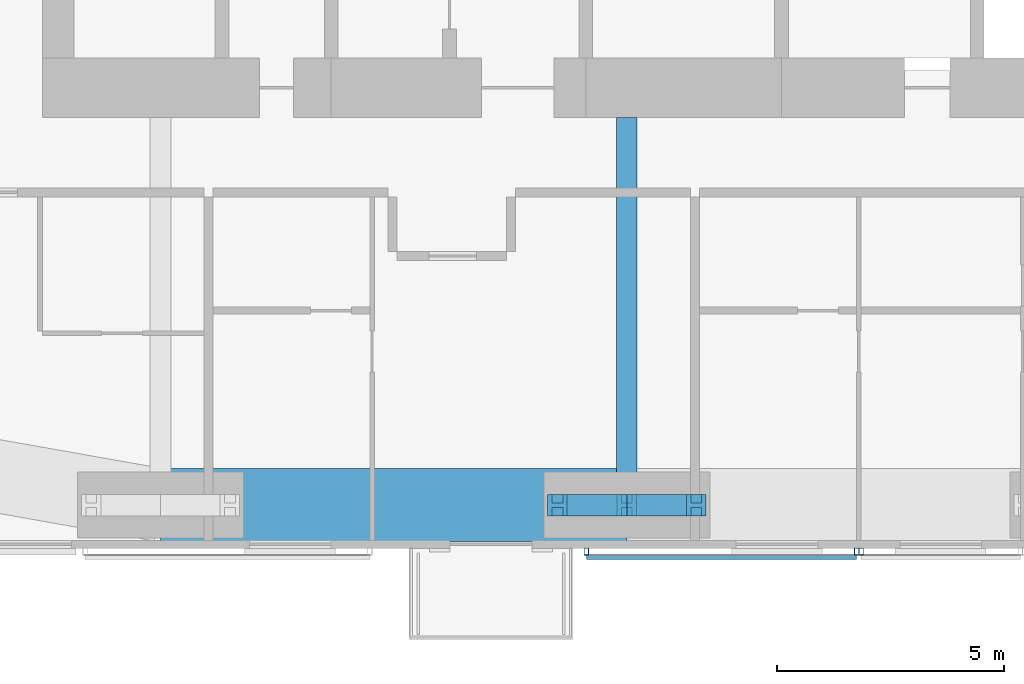
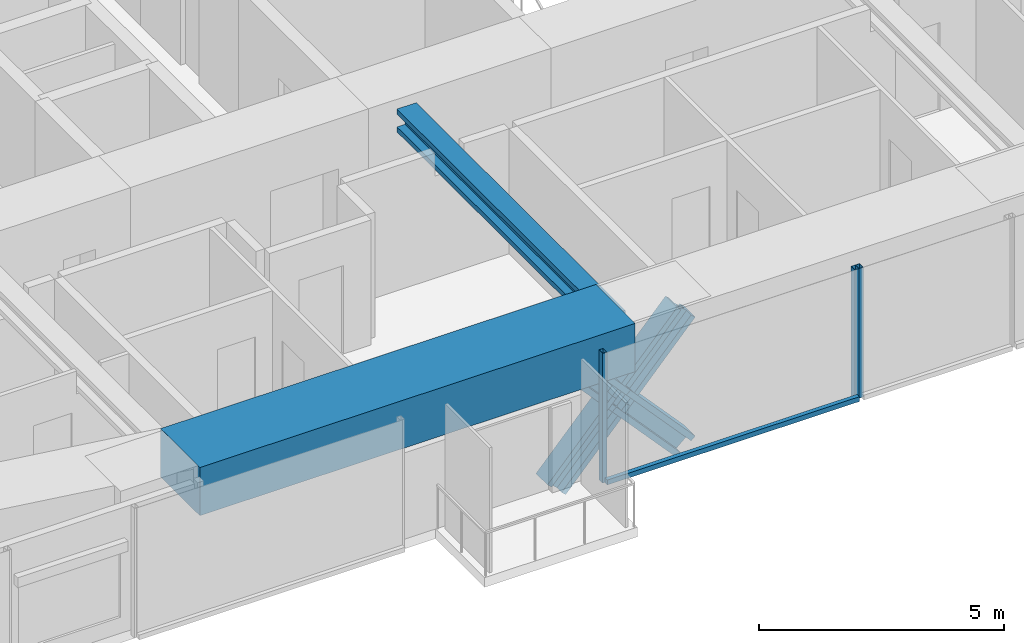
# One storey, part 4 of 23: 8 members, 2 beams, 2 elements without a shape of their own.
"""IFC4 building model written with IfcOpenShell, lengths in metres."""

import ifcopenshell
import ifcopenshell.guid

model = None  # the IFC model being written
_history = None  # IfcOwnerHistory: only IFC2X3 demands one
_inside = {}  # id of a spatial element -> (the spatial element, [elements in it])
_under = {}  # id of a project, library or spatial element -> (it, [spatial elements below it])
_declared = {}  # id of a project -> (the project, [libraries it declares])
_typed = {}  # id of a type object -> (the type object, [elements of that type])
_made_of = {}  # id of a material, layer set ... -> (it, [elements and type objects made of it])


def new_model(schema):
    """Start an empty IFC model of exactly this schema.

    Asked for "IFC4X3", IfcOpenShell would pick the latest addendum, in which some entities
    have other attributes; the version numbers below select the first issue.
    IFC2X3 requires an IfcOwnerHistory on every rooted entity: one is made here for all.
    """
    global model, _history
    if schema == "IFC4X3":
        model = ifcopenshell.file(schema_version=(4, 3, 0, 0))
    else:
        model = ifcopenshell.file(schema=schema)
    _inside.clear()
    _under.clear()
    _declared.clear()
    _typed.clear()
    _made_of.clear()
    _history = None
    if model.schema == "IFC2X3":
        org = make("IfcOrganization", Name="unknown")
        user = make(
            "IfcPersonAndOrganization",
            ThePerson=make("IfcPerson", FamilyName="unknown"),
            TheOrganization=org,
        )
        app = make(
            "IfcApplication",
            ApplicationDeveloper=org,
            Version="unknown",
            ApplicationFullName="unknown",
            ApplicationIdentifier="unknown",
        )
        _history = make(
            "IfcOwnerHistory",
            OwningUser=user,
            OwningApplication=app,
            ChangeAction="ADDED",
            CreationDate=0,
        )
    return model


def make(cls, **values):
    """One entity of the class cls with the attributes given. An attribute that is None is left unset."""
    return model.create_entity(
        cls, **{name: value for name, value in values.items() if value is not None}
    )


def rooted(cls, **values):
    """An entity with a GlobalId (a new one), such as an element, a storey or a relation."""
    return make(cls, GlobalId=ifcopenshell.guid.new(), OwnerHistory=_history, **values)


def si_unit(unit_type, name, prefix=None):
    """IfcSIUnit, for example si_unit("LENGTHUNIT", "METRE", prefix="MILLI")."""
    return make("IfcSIUnit", UnitType=unit_type, Prefix=prefix, Name=name)


def assignment(units):
    """IfcUnitAssignment: the units of a project."""
    return None if units is None else make("IfcUnitAssignment", Units=units)


def point(xyz):
    """IfcCartesianPoint."""
    return None if xyz is None else make("IfcCartesianPoint", Coordinates=xyz)


def direction(xyz):
    """IfcDirection."""
    return None if xyz is None else make("IfcDirection", DirectionRatios=xyz)


def frame(location, z_axis=None, x_axis=None):
    """IfcAxis2Placement3D, a coordinate frame: its origin and axes. An axis left out is left unset."""
    return make(
        "IfcAxis2Placement3D",
        Location=point(location),
        Axis=direction(z_axis),
        RefDirection=direction(x_axis),
    )


def frame_2d(location, x_axis=None):
    """IfcAxis2Placement2D, a coordinate frame in the plane: its origin and x axis."""
    return make(
        "IfcAxis2Placement2D", Location=point(location), RefDirection=direction(x_axis)
    )


def origin():
    """The frame at (0, 0, 0) with its axes left unset."""
    return frame((0.0, 0.0, 0.0))


def origin_2d():
    """The frame at (0, 0) in the plane with its x axis left unset."""
    return frame_2d((0.0, 0.0))


def place(relative_to, where):
    """IfcLocalPlacement: puts the frame where relative to a parent placement (None: the world)."""
    return make(
        "IfcLocalPlacement", PlacementRelTo=relative_to, RelativePlacement=where
    )


def context(
    kind, dimensions, precision=None, world=None, true_north=None, identifier=None
):
    """IfcGeometricRepresentationContext, for example the 3D "Model" context."""
    return make(
        "IfcGeometricRepresentationContext",
        ContextIdentifier=identifier,
        ContextType=kind,
        CoordinateSpaceDimension=dimensions,
        Precision=precision,
        WorldCoordinateSystem=world,
        TrueNorth=true_north,
    )


def subcontext(parent, identifier, kind, view, scale=None):
    """IfcGeometricRepresentationSubContext, for example "Body" below "Model"."""
    return make(
        "IfcGeometricRepresentationSubContext",
        ContextIdentifier=identifier,
        ContextType=kind,
        ParentContext=parent,
        TargetScale=scale,
        TargetView=view,
    )


def project(units=None, contexts=None):
    """IfcProject with its units and contexts."""
    return rooted(
        "IfcProject",
        Name="project",
        RepresentationContexts=contexts,
        UnitsInContext=assignment(units),
    )


def spatial(cls, under=None, at=None, **own):
    """A site, building, storey or space (cls), placed at a placement, below another one or the project."""
    s = rooted(cls, ObjectPlacement=at, **own)
    if under is not None:
        _under.setdefault(under.id(), (under, []))[1].append(s)
    return s


def profile(cls, at=None, kind="AREA", **sizes):
    """A parametric profile (cls). Its sizes go by their IFC names, for example OverallWidth=200.0."""
    return make(cls, ProfileType=kind, Position=at, **sizes)


def rectangle(**sizes):
    """IfcRectangleProfileDef."""
    return profile("IfcRectangleProfileDef", **sizes)


def hollow_rectangle(**sizes):
    """IfcRectangleHollowProfileDef."""
    return profile("IfcRectangleHollowProfileDef", **sizes)


def i_section(**sizes):
    """IfcIShapeProfileDef."""
    return profile("IfcIShapeProfileDef", **sizes)


def extrude(swept, where, along, depth):
    """IfcExtrudedAreaSolid: the profile swept, set in the frame where, extruded along a direction by depth."""
    return make(
        "IfcExtrudedAreaSolid",
        SweptArea=swept,
        Position=where,
        ExtrudedDirection=direction(along),
        Depth=depth,
    )


def shape(context_of_items, identifier, shape_type, items):
    """IfcShapeRepresentation: the items that make up one representation, for example the "Body"."""
    return make(
        "IfcShapeRepresentation",
        ContextOfItems=context_of_items,
        RepresentationIdentifier=identifier,
        RepresentationType=shape_type,
        Items=items,
    )


def material(Name=None, Category=None):
    """IfcMaterial."""
    return make("IfcMaterial", Name=Name, Category=Category)


def material_profile(
    of_material, cross_section, Name=None, Category=None, Priority=None
):
    """IfcMaterialProfile: a cross section and its material."""
    return make(
        "IfcMaterialProfile",
        Name=Name,
        Material=of_material,
        Profile=cross_section,
        Priority=Priority,
        Category=Category,
    )


def profile_set(profiles, Name=None, composite=None):
    """IfcMaterialProfileSet."""
    return make(
        "IfcMaterialProfileSet",
        Name=Name,
        MaterialProfiles=profiles,
        CompositeProfile=composite,
    )


def made_of(thing, what):
    """Note that an element or type object is made of a material, layer set ...; save() writes the relation."""
    if what is not None:
        _made_of.setdefault(what.id(), (what, []))[1].append(thing)
    return thing


def type_object(cls, material=None, **own):
    """A type object (cls), such as IfcWallType, which elements share."""
    return made_of(rooted(cls, **own), material)


def element(
    cls,
    number,
    at=None,
    inside=None,
    cuts=None,
    type_object=None,
    material=None,
    context=None,
    identifier="Body",
    shape_type=None,
    held_by="IfcProductDefinitionShape",
    body=None,
    shapes=None,
    **own,
):
    """One element of the class cls, such as IfcWall. Its Tag is "e" and its number.

    at: its placement. inside: the storey or other place that contains it. cuts: it is an
    opening in that element (IfcRelVoidsElement). A single representation is given by context,
    identifier, shape_type and body (its items); several are given by shapes. held_by: the class
    of the entity that holds the representations. save() writes the other relations.
    """
    e = rooted(cls, Tag="e%d" % number, ObjectPlacement=at, **own)
    if body is not None:
        shapes = [shape(context, identifier, shape_type, body)]
    if shapes is not None:
        e.Representation = make(held_by, Representations=shapes)
    if inside is not None:
        _inside.setdefault(inside.id(), (inside, []))[1].append(e)
    if cuts is not None:
        rooted(
            "IfcRelVoidsElement", RelatingBuildingElement=cuts, RelatedOpeningElement=e
        )
    if type_object is not None:
        _typed.setdefault(type_object.id(), (type_object, []))[1].append(e)
    return made_of(e, material)


def aggregate(whole, parts):
    """IfcRelAggregates: a whole, such as a stair, and the parts it consists of."""
    return rooted("IfcRelAggregates", RelatingObject=whole, RelatedObjects=parts)


def save(model, path):
    """Write the relations noted so far, then the file.

    IfcRelAggregates (storeys below a building ...), IfcRelContainedInSpatialStructure (elements
    in a storey), IfcRelDefinesByType, IfcRelAssociatesMaterial and IfcRelDeclares: one each for
    every whole, place, type object, material and project.
    """
    for whole, parts in _under.values():
        aggregate(whole, parts)
    for where, things in _inside.values():
        rooted(
            "IfcRelContainedInSpatialStructure",
            RelatedElements=things,
            RelatingStructure=where,
        )
    for kind, things in _typed.values():
        rooted("IfcRelDefinesByType", RelatedObjects=things, RelatingType=kind)
    for what, things in _made_of.values():
        rooted("IfcRelAssociatesMaterial", RelatedObjects=things, RelatingMaterial=what)
    for by, libraries in _declared.values():
        rooted("IfcRelDeclares", RelatingContext=by, RelatedDefinitions=libraries)
    model.write(path)


model = new_model("IFC4")

# Units and contexts
model_context = context("Model", 3, precision=1e-05, world=origin(), true_north=direction((0.0, 1.0)))
body_context = subcontext(model_context, "Body", "Model", "MODEL_VIEW")
ifc_project = project(units=[si_unit("LENGTHUNIT", "METRE"), si_unit("AREAUNIT", "SQUARE_METRE"), si_unit("VOLUMEUNIT", "CUBIC_METRE"), si_unit("PLANEANGLEUNIT", "RADIAN"), si_unit("MASSUNIT", "GRAM", prefix="KILO")], contexts=[model_context])

# Site, building, storey
site_placement = place(None, origin())
site = spatial("IfcSite", under=ifc_project, at=site_placement, CompositionType="ELEMENT")
building_placement = place(site_placement, origin())
building = spatial("IfcBuilding", under=site, at=building_placement, Name="Jalousie Tower", CompositionType="ELEMENT")
storey_placement = place(building_placement, frame((0.0, 0.0, 191.199951171875)))
storey = spatial("IfcBuildingStorey", under=building, at=storey_placement, Name="L52", CompositionType="ELEMENT", Elevation=191.199951171875)

# Beam
ifc_material_1 = material(Name="Steel ASTM A992 Grade 50", Category="steel")
ifc_material_profile_1 = material_profile(ifc_material_1, i_section(OverallWidth=0.45458984375, OverallDepth=0.569091796875, WebThickness=0.077880859375, FlangeThickness=0.124755859375, at=origin_2d()), Name="W14X730")
ifc_profile_set_1 = profile_set([ifc_material_profile_1], Name="Steel ASTM A992 Grade 50")
beam_type_1 = type_object("IfcBeamType", Name="LEAN COLLECTOR W14X730", PredefinedType="BEAM", material=ifc_profile_set_1)
beam_1_placement = place(storey_placement, frame((32.5, 0.949951171875, 2.825439453125), z_axis=(0.0, 1.0, 0.0), x_axis=(-1.0, 0.0, 0.0)))
element("IfcBeam", 1, at=beam_1_placement, inside=storey, type_object=beam_type_1, Name="Lean collector under L53", PredefinedType="BEAM", context=body_context, shape_type="SweptSolid", body=[
    extrude(i_section(OverallWidth=0.45458984375, OverallDepth=0.569091796875, WebThickness=0.077880859375, FlangeThickness=0.124755859375, at=origin_2d()), origin(), (0.0, 0.0, 1.0), 8.525146484375),
])

# Members
ifc_material_2 = material(Name="Steel ASTM A992 Grade 50", Category="steel")
ifc_material_profile_2 = material_profile(ifc_material_2, i_section(OverallWidth=0.472412109375, OverallDepth=0.5791015625, WebThickness=0.094970703125, FlangeThickness=0.1298828125, at=origin_2d()), Name="W14X808")
ifc_profile_set_2 = profile_set([ifc_material_profile_2], Name="Steel ASTM A992 Grade 50")
member_type_1 = type_object("IfcMemberType", Name="PERIMETER BRACE W14X808", PredefinedType="BRACE", material=ifc_profile_set_2)
for number, where, z_axis, x_axis, name in (
    (2, (30.97509765625, 0.949951171875, -0.599853515625), (0.673241284601, 0.0, 0.739422864611), (0.0, 1.0, 0.0), "Perimeter brace 03 L52 part 1"),
    (3, (32.5, 0.949951171875, 1.074951171875), (0.673187629365, 0.0, 0.739471713908), (0.0, 1.0, 0.0), "Perimeter brace 03 L52 part 2"),
    (4, (34.02490234375, 0.949951171875, -0.599853515625), (-0.673241284601, 0.0, 0.739422864611), (0.0, -1.0, 0.0), "Perimeter brace 03 L52 part 3"),
    (5, (32.5, 0.949951171875, 1.074951171875), (-0.673187629365, 0.0, 0.739471713908), (0.0, -1.0, 0.0), "Perimeter brace 03 L52 part 4"),
):
    element("IfcMember", number, at=place(storey_placement, frame(where, z_axis=z_axis, x_axis=x_axis)), inside=storey, type_object=member_type_1, Name=name, PredefinedType="BRACE", context=body_context, shape_type="SweptSolid", body=[
        extrude(i_section(OverallWidth=0.472412109375, OverallDepth=0.5791015625, WebThickness=0.094970703125, FlangeThickness=0.1298828125, at=origin_2d()), origin(), (0.0, 0.0, 1.0), 2.26513671875),
    ])

# Beam
ifc_material_3 = material(Name="Concrete f'c 40 MPa", Category="concrete")
ifc_material_profile_3 = material_profile(ifc_material_3, rectangle(XDim=1.60009765625, YDim=1.199951171875, at=origin_2d()), Name="RC 1600x1200")
ifc_profile_set_3 = profile_set([ifc_material_profile_3], Name="Concrete f'c 40 MPa")
beam_type_2 = type_object("IfcBeamType", Name="RC BEAM 1600x1200", PredefinedType="BEAM", material=ifc_profile_set_3)
beam_2_placement = place(storey_placement, frame((22.25, 0.949951171875, 2.75), z_axis=(1.0, 0.0, 0.0), x_axis=(0.0, 1.0, 0.0)))
element("IfcBeam", 6, at=beam_2_placement, inside=storey, type_object=beam_type_2, Name="Edge band beam 02-03 under L53", PredefinedType="BEAM", context=body_context, shape_type="SweptSolid", body=[
    extrude(rectangle(XDim=1.60009765625, YDim=1.199951171875, at=origin_2d()), origin(), (0.0, 0.0, 1.0), 10.25),
])

# Curtain wall, members
ifc_material_4 = material(Name="Perforated aluminium sheet", Category="aluminium")
curtain_wall_type = type_object("IfcCurtainWallType", Name="SOLAR SCREEN SS-1", PredefinedType="USERDEFINED", material=ifc_material_4)
curtain_wall_1_placement = place(storey_placement, origin())
curtain_wall_1 = element("IfcCurtainWall", 7, at=curtain_wall_1_placement, inside=storey, type_object=curtain_wall_type, Name="Solar screen L52", ObjectType="SOLAR SCREEN SS-1", PredefinedType="USERDEFINED")
ifc_material_5 = material(Name="Steel ASTM A500 Grade C", Category="steel")
ifc_material_profile_4 = material_profile(ifc_material_5, hollow_rectangle(XDim=0.1015625, YDim=0.15234375, WallThickness=0.00634765625, at=origin_2d()), Name="HSS6X4X1/4")
ifc_profile_set_4 = profile_set([ifc_material_profile_4], Name="Steel ASTM A500 Grade C")
member_type_2 = type_object("IfcMemberType", Name="SOLAR SCREEN SS-1 MULLION", PredefinedType="MULLION", material=ifc_profile_set_4)
member_1_placement = place(storey_placement, frame((31.612548828125, -0.0712890625, -0.119873046875), z_axis=(0.0, 0.0, 1.0), x_axis=(1.0, 0.0, 0.0)))
member_1 = element("IfcMember", 8, at=member_1_placement, type_object=member_type_2, Name="SS1 post 1", PredefinedType="MULLION", context=body_context, shape_type="SweptSolid", body=[
    extrude(hollow_rectangle(XDim=0.1015625, YDim=0.15234375, WallThickness=0.00634765625, at=origin_2d()), origin(), (0.0, 0.0, 1.0), 3.22998046875),
])
member_2_placement = place(storey_placement, frame((37.550048828125, -0.0712890625, -0.119873046875), z_axis=(0.0, 0.0, 1.0), x_axis=(1.0, 0.0, 0.0)))
member_2 = element("IfcMember", 9, at=member_2_placement, type_object=member_type_2, Name="SS1 post 2", PredefinedType="MULLION", context=body_context, shape_type="SweptSolid", body=[
    extrude(hollow_rectangle(XDim=0.1015625, YDim=0.15234375, WallThickness=0.00634765625, at=origin_2d()), origin(), (0.0, 0.0, 1.0), 3.22998046875),
])

# Curtain wall, member
curtain_wall_2_placement = place(storey_placement, origin())
curtain_wall_2 = element("IfcCurtainWall", 10, at=curtain_wall_2_placement, inside=storey, type_object=curtain_wall_type, Name="Solar screen L52", ObjectType="SOLAR SCREEN SS-1", PredefinedType="USERDEFINED")
member_3_placement = place(storey_placement, frame((37.64990234375, -0.0712890625, -0.119873046875), z_axis=(0.0, 0.0, 1.0), x_axis=(1.0, 0.0, 0.0)))
member_3 = element("IfcMember", 11, at=member_3_placement, type_object=member_type_2, Name="SS1 post 1", PredefinedType="MULLION", context=body_context, shape_type="SweptSolid", body=[
    extrude(hollow_rectangle(XDim=0.1015625, YDim=0.15234375, WallThickness=0.00634765625, at=origin_2d()), origin(), (0.0, 0.0, 1.0), 3.22998046875),
])
aggregate(curtain_wall_2, [member_3])

# Member
ifc_material_6 = material(Name="Extruded aluminium screen rail", Category="aluminium")
ifc_material_profile_5 = material_profile(ifc_material_6, rectangle(XDim=0.1015625, YDim=0.1201171875, at=origin_2d()), Name="RAIL 102x120")
ifc_profile_set_5 = profile_set([ifc_material_profile_5], Name="Extruded aluminium screen rail")
member_type_3 = type_object("IfcMemberType", Name="SOLAR SCREEN SS-1 TRANSOM", PredefinedType="USERDEFINED", material=ifc_profile_set_5)
member_4_placement = place(storey_placement, frame((31.612548828125, -0.1982421875, -0.06005859375), z_axis=(1.0, 0.0, 0.0), x_axis=(0.0, 1.0, 0.0)))
member_4 = element("IfcMember", 12, at=member_4_placement, type_object=member_type_3, Name="SS1 rail", ObjectType="TRANSOM", PredefinedType="USERDEFINED", context=body_context, shape_type="SweptSolid", body=[
    extrude(rectangle(XDim=0.1015625, YDim=0.1201171875, at=origin_2d()), origin(), (0.0, 0.0, 1.0), 5.9375),
])

aggregate(curtain_wall_1, [member_1, member_2, member_4])

save(model, "model.ifc")
